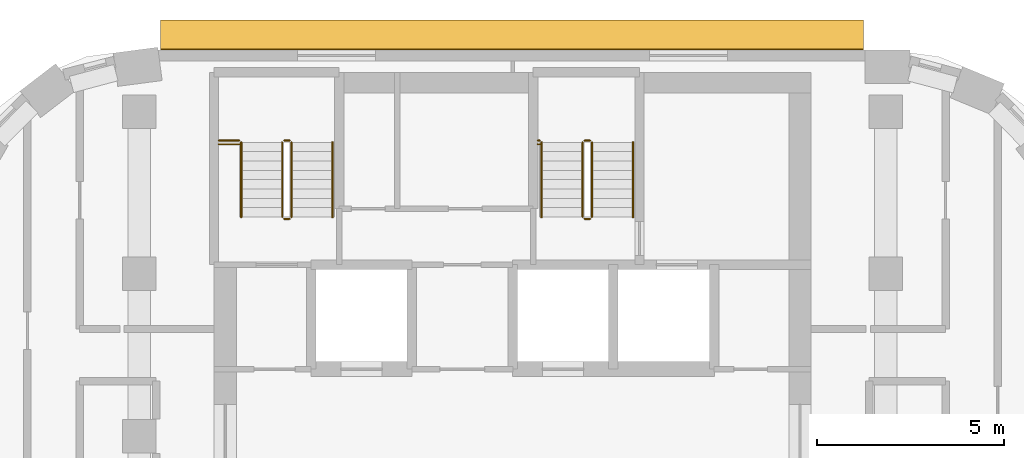
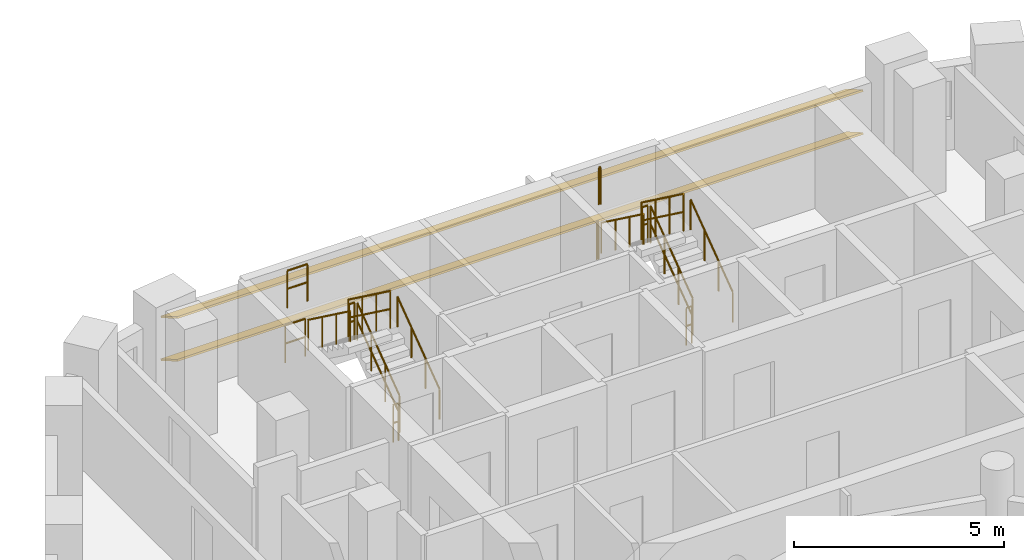
# One storey, part 15 of 15: 16 railings, 2 shading devices.
"""IFC4 building model written with IfcOpenShell, lengths in metres."""

from ifc_helpers import new_model, si_unit, direction, frame, origin, origin_2d, place, context, subcontext, project, spatial, rectangle, circle, extrude, material, material_profile, profile_set, type_object, element, save


model = new_model("IFC4")

# Units and contexts
model_context = context("Model", 3, precision=1e-05, world=origin(), true_north=direction((0.0, 1.0)))
body_context = subcontext(model_context, "Body", "Model", "MODEL_VIEW")
ifc_project = project(units=[si_unit("LENGTHUNIT", "METRE"), si_unit("AREAUNIT", "SQUARE_METRE"), si_unit("VOLUMEUNIT", "CUBIC_METRE"), si_unit("PLANEANGLEUNIT", "RADIAN"), si_unit("MASSUNIT", "GRAM", prefix="KILO")], contexts=[model_context])

# Site, building, storey
site_placement = place(None, origin())
site = spatial("IfcSite", under=ifc_project, at=site_placement, CompositionType="ELEMENT")
building_placement = place(site_placement, origin())
building = spatial("IfcBuilding", under=site, at=building_placement, Name="Nakaniwa Court", CompositionType="ELEMENT")
storey_placement = place(building_placement, frame((0.0, 0.0, 186.60009765625)))
storey = spatial("IfcBuildingStorey", under=building, at=storey_placement, Name="L48", CompositionType="ELEMENT", Elevation=186.60009765625)

# Shading devices
ifc_material_1 = material(Name="Perforated charcoal ceramic louvre blade")
ifc_material_profile = material_profile(ifc_material_1, rectangle(XDim=0.89990234375, YDim=0.050048828125, at=origin_2d()), Name="Perforated ceramic louvre blade")
ifc_profile_set = profile_set([ifc_material_profile], Name="Perforated charcoal ceramic louvre blade")
shading_device_type = type_object("IfcShadingDeviceType", Name="Perforated ceramic louvre blade", PredefinedType="JALOUSIE", material=ifc_profile_set)
for number, where, z_axis, x_axis, name in (
    (1, (89.3994140625, 103.05224609375, 0.5498046875), (-1.0, 0.0, 0.0), (0.0, -0.866025403784, 0.5), "L48 perforated ceramic louvre blade w08 1"),
    (2, (89.3994140625, 103.05224609375, 1.793212890625), (-1.0, 0.0, 0.0), (0.0, -0.866025403784, 0.5), "L48 perforated ceramic louvre blade w08 2"),
):
    element("IfcShadingDevice", number, at=place(storey_placement, frame(where, z_axis=z_axis, x_axis=x_axis)), inside=storey, type_object=shading_device_type, Name=name, PredefinedType="JALOUSIE", context=body_context, shape_type="SweptSolid", body=[
        extrude(rectangle(XDim=0.89990234375, YDim=0.050048828125, at=origin_2d()), origin(), (0.0, 0.0, 1.0), 18.8330078125),
    ])

# Railings
ifc_material_2 = material(Name="Black powder coated steel guard", Category="steel")
railing_type_1 = type_object("IfcRailingType", Name="Stair guard 1100", PredefinedType="GUARDRAIL", material=ifc_material_2)
railing_1_placement = place(storey_placement, frame((74.074951171875, 98.175048828125, 0.183349609375)))
element("IfcRailing", 3, at=railing_1_placement, inside=storey, type_object=railing_type_1, Name="L48 ST1 stair guard 1", PredefinedType="GUARDRAIL", context=body_context, shape_type="SweptSolid", body=[
    extrude(circle(Radius=0.02392578125, at=origin_2d()), frame((0.0, 0.0, 1.076171875), z_axis=(0.0, 0.806426902644, 0.591333789573), x_axis=(-1.0, 0.0, 0.0)), (0.0, 0.0, 1.0), 2.47998046875),
    extrude(circle(Radius=0.02392578125, at=origin_2d()), frame((0.0, 0.0, 0.550048828125), z_axis=(0.0, 0.806426902644, 0.591333789573), x_axis=(-1.0, 0.0, 0.0)), (0.0, 0.0, 1.0), 2.47998046875),
    extrude(circle(Radius=0.02099609375, at=origin_2d()), origin(), (0.0, 0.0, 1.0), 1.052001953125),
    extrude(circle(Radius=0.02099609375, at=origin_2d()), frame((0.0, 0.666748046875, 0.48876953125)), (0.0, 0.0, 1.0), 1.052001953125),
    extrude(circle(Radius=0.02099609375, at=origin_2d()), frame((0.0, 1.333251953125, 0.977783203125)), (0.0, 0.0, 1.0), 1.052001953125),
    extrude(circle(Radius=0.02099609375, at=origin_2d()), frame((0.0, 2.0, 1.466552734375)), (0.0, 0.0, 1.0), 1.052001953125),
])
railing_2_placement = place(storey_placement, frame((74.02490234375, 100.22509765625, 1.64990234375)))
element("IfcRailing", 4, at=railing_2_placement, inside=storey, type_object=railing_type_1, Name="L48 ST1 stair guard 2", PredefinedType="GUARDRAIL", context=body_context, shape_type="SweptSolid", body=[
    extrude(circle(Radius=0.02392578125, at=origin_2d()), frame((0.0, 0.0, 1.076171875), z_axis=(-1.0, 0.0, 0.0), x_axis=(0.0, -1.0, 0.0)), (0.0, 0.0, 1.0), 0.14990234375),
    extrude(circle(Radius=0.02392578125, at=origin_2d()), frame((0.0, 0.0, 0.550048828125), z_axis=(-1.0, 0.0, 0.0), x_axis=(0.0, -1.0, 0.0)), (0.0, 0.0, 1.0), 0.14990234375),
    extrude(circle(Radius=0.02099609375, at=origin_2d()), origin(), (0.0, 0.0, 1.0), 1.052001953125),
    extrude(circle(Radius=0.02099609375, at=origin_2d()), frame((-0.14990234375, 0.0, 0.0)), (0.0, 0.0, 1.0), 1.052001953125),
])
railing_3_placement = place(storey_placement, frame((73.824951171875, 100.175048828125, 1.833251953125)))
element("IfcRailing", 5, at=railing_3_placement, inside=storey, type_object=railing_type_1, Name="L48 ST1 stair guard 3", PredefinedType="GUARDRAIL", context=body_context, shape_type="SweptSolid", body=[
    extrude(circle(Radius=0.02392578125, at=origin_2d()), frame((0.0, 0.0, 1.076171875), z_axis=(0.0, -0.806426902644, 0.591333789573), x_axis=(1.0, 0.0, 0.0)), (0.0, 0.0, 1.0), 2.47998046875),
    extrude(circle(Radius=0.02392578125, at=origin_2d()), frame((0.0, 0.0, 0.550048828125), z_axis=(0.0, -0.806426902644, 0.591333789573), x_axis=(1.0, 0.0, 0.0)), (0.0, 0.0, 1.0), 2.47998046875),
    extrude(circle(Radius=0.02099609375, at=origin_2d()), origin(), (0.0, 0.0, 1.0), 1.052001953125),
    extrude(circle(Radius=0.02099609375, at=origin_2d()), frame((0.0, -0.666748046875, 0.48876953125)), (0.0, 0.0, 1.0), 1.052001953125),
    extrude(circle(Radius=0.02099609375, at=origin_2d()), frame((0.0, -1.333251953125, 0.977783203125)), (0.0, 0.0, 1.0), 1.052001953125),
    extrude(circle(Radius=0.02099609375, at=origin_2d()), frame((0.0, -2.0, 1.466552734375)), (0.0, 0.0, 1.0), 1.052001953125),
])
railing_4_placement = place(storey_placement, frame((74.02490234375, 98.125, 0.0)))
element("IfcRailing", 6, at=railing_4_placement, inside=storey, type_object=railing_type_1, Name="L48 ST1 stair guard 4", PredefinedType="GUARDRAIL", context=body_context, shape_type="SweptSolid", body=[
    extrude(circle(Radius=0.02392578125, at=origin_2d()), frame((0.0, 0.0, 1.076171875), z_axis=(-1.0, 0.0, 0.0), x_axis=(0.0, -1.0, 0.0)), (0.0, 0.0, 1.0), 0.14990234375),
    extrude(circle(Radius=0.02392578125, at=origin_2d()), frame((0.0, 0.0, 0.550048828125), z_axis=(-1.0, 0.0, 0.0), x_axis=(0.0, -1.0, 0.0)), (0.0, 0.0, 1.0), 0.14990234375),
    extrude(circle(Radius=0.02099609375, at=origin_2d()), origin(), (0.0, 0.0, 1.0), 1.052001953125),
    extrude(circle(Radius=0.02099609375, at=origin_2d()), frame((-0.14990234375, 0.0, 0.0)), (0.0, 0.0, 1.0), 1.052001953125),
])
for number, where, name in (
    (7, (72.125, 100.22509765625, 1.64990234375), "L48 ST1 landing side guard 1W"),
    (8, (72.125, 100.125, 3.2998046875), "L48 ST1 floor edge guard 1W"),
):
    element("IfcRailing", number, at=place(storey_placement, frame(where)), inside=storey, type_object=railing_type_1, Name=name, PredefinedType="GUARDRAIL", context=body_context, shape_type="SweptSolid", body=[
        extrude(circle(Radius=0.02392578125, at=origin_2d()), frame((0.0, 0.0, 1.076171875), z_axis=(1.0, 0.0, 0.0), x_axis=(0.0, 1.0, 0.0)), (0.0, 0.0, 1.0), 0.550048828125),
        extrude(circle(Radius=0.02392578125, at=origin_2d()), frame((0.0, 0.0, 0.550048828125), z_axis=(1.0, 0.0, 0.0), x_axis=(0.0, 1.0, 0.0)), (0.0, 0.0, 1.0), 0.550048828125),
        extrude(circle(Radius=0.02099609375, at=origin_2d()), origin(), (0.0, 0.0, 1.0), 1.052001953125),
        extrude(circle(Radius=0.02099609375, at=origin_2d()), frame((0.550048828125, 0.0, 0.0)), (0.0, 0.0, 1.0), 1.052001953125),
    ])
railing_5_placement = place(storey_placement, frame((82.125, 98.175048828125, 0.183349609375)))
element("IfcRailing", 9, at=railing_5_placement, inside=storey, type_object=railing_type_1, Name="L48 ST2 stair guard 1", PredefinedType="GUARDRAIL", context=body_context, shape_type="SweptSolid", body=[
    extrude(circle(Radius=0.02392578125, at=origin_2d()), frame((0.0, 0.0, 1.076171875), z_axis=(0.0, 0.806426902644, 0.591333789573), x_axis=(-1.0, 0.0, 0.0)), (0.0, 0.0, 1.0), 2.47998046875),
    extrude(circle(Radius=0.02392578125, at=origin_2d()), frame((0.0, 0.0, 0.550048828125), z_axis=(0.0, 0.806426902644, 0.591333789573), x_axis=(-1.0, 0.0, 0.0)), (0.0, 0.0, 1.0), 2.47998046875),
    extrude(circle(Radius=0.02099609375, at=origin_2d()), origin(), (0.0, 0.0, 1.0), 1.052001953125),
    extrude(circle(Radius=0.02099609375, at=origin_2d()), frame((0.0, 0.666748046875, 0.48876953125)), (0.0, 0.0, 1.0), 1.052001953125),
    extrude(circle(Radius=0.02099609375, at=origin_2d()), frame((0.0, 1.333251953125, 0.977783203125)), (0.0, 0.0, 1.0), 1.052001953125),
    extrude(circle(Radius=0.02099609375, at=origin_2d()), frame((0.0, 2.0, 1.466552734375)), (0.0, 0.0, 1.0), 1.052001953125),
])
railing_6_placement = place(storey_placement, frame((82.074951171875, 100.22509765625, 1.64990234375)))
element("IfcRailing", 10, at=railing_6_placement, inside=storey, type_object=railing_type_1, Name="L48 ST2 stair guard 2", PredefinedType="GUARDRAIL", context=body_context, shape_type="SweptSolid", body=[
    extrude(circle(Radius=0.02392578125, at=origin_2d()), frame((0.0, 0.0, 1.076171875), z_axis=(-1.0, 0.0, 0.0), x_axis=(0.0, -1.0, 0.0)), (0.0, 0.0, 1.0), 0.14990234375),
    extrude(circle(Radius=0.02392578125, at=origin_2d()), frame((0.0, 0.0, 0.550048828125), z_axis=(-1.0, 0.0, 0.0), x_axis=(0.0, -1.0, 0.0)), (0.0, 0.0, 1.0), 0.14990234375),
    extrude(circle(Radius=0.02099609375, at=origin_2d()), origin(), (0.0, 0.0, 1.0), 1.052001953125),
    extrude(circle(Radius=0.02099609375, at=origin_2d()), frame((-0.14990234375, 0.0, 0.0)), (0.0, 0.0, 1.0), 1.052001953125),
])
railing_7_placement = place(storey_placement, frame((81.875, 100.175048828125, 1.833251953125)))
element("IfcRailing", 11, at=railing_7_placement, inside=storey, type_object=railing_type_1, Name="L48 ST2 stair guard 3", PredefinedType="GUARDRAIL", context=body_context, shape_type="SweptSolid", body=[
    extrude(circle(Radius=0.02392578125, at=origin_2d()), frame((0.0, 0.0, 1.076171875), z_axis=(0.0, -0.806426902644, 0.591333789573), x_axis=(1.0, 0.0, 0.0)), (0.0, 0.0, 1.0), 2.47998046875),
    extrude(circle(Radius=0.02392578125, at=origin_2d()), frame((0.0, 0.0, 0.550048828125), z_axis=(0.0, -0.806426902644, 0.591333789573), x_axis=(1.0, 0.0, 0.0)), (0.0, 0.0, 1.0), 2.47998046875),
    extrude(circle(Radius=0.02099609375, at=origin_2d()), origin(), (0.0, 0.0, 1.0), 1.052001953125),
    extrude(circle(Radius=0.02099609375, at=origin_2d()), frame((0.0, -0.666748046875, 0.48876953125)), (0.0, 0.0, 1.0), 1.052001953125),
    extrude(circle(Radius=0.02099609375, at=origin_2d()), frame((0.0, -1.333251953125, 0.977783203125)), (0.0, 0.0, 1.0), 1.052001953125),
    extrude(circle(Radius=0.02099609375, at=origin_2d()), frame((0.0, -2.0, 1.466552734375)), (0.0, 0.0, 1.0), 1.052001953125),
])
railing_8_placement = place(storey_placement, frame((82.074951171875, 98.125, 0.0)))
element("IfcRailing", 12, at=railing_8_placement, inside=storey, type_object=railing_type_1, Name="L48 ST2 stair guard 4", PredefinedType="GUARDRAIL", context=body_context, shape_type="SweptSolid", body=[
    extrude(circle(Radius=0.02392578125, at=origin_2d()), frame((0.0, 0.0, 1.076171875), z_axis=(-1.0, 0.0, 0.0), x_axis=(0.0, -1.0, 0.0)), (0.0, 0.0, 1.0), 0.14990234375),
    extrude(circle(Radius=0.02392578125, at=origin_2d()), frame((0.0, 0.0, 0.550048828125), z_axis=(-1.0, 0.0, 0.0), x_axis=(0.0, -1.0, 0.0)), (0.0, 0.0, 1.0), 0.14990234375),
    extrude(circle(Radius=0.02099609375, at=origin_2d()), origin(), (0.0, 0.0, 1.0), 1.052001953125),
    extrude(circle(Radius=0.02099609375, at=origin_2d()), frame((-0.14990234375, 0.0, 0.0)), (0.0, 0.0, 1.0), 1.052001953125),
])
for number, where, name in (
    (13, (80.675048828125, 100.22509765625, 1.64990234375), "L48 ST2 landing side guard 1W"),
    (14, (80.675048828125, 100.125, 3.2998046875), "L48 ST2 floor edge guard 1W"),
):
    element("IfcRailing", number, at=place(storey_placement, frame(where)), inside=storey, type_object=railing_type_1, Name=name, PredefinedType="GUARDRAIL", context=body_context, shape_type="SweptSolid", body=[
        extrude(circle(Radius=0.02392578125, at=origin_2d()), frame((0.0, 0.0, 1.076171875), z_axis=(1.0, 0.0, 0.0), x_axis=(0.0, 1.0, 0.0)), (0.0, 0.0, 1.0), 0.050048828125),
        extrude(circle(Radius=0.02392578125, at=origin_2d()), frame((0.0, 0.0, 0.550048828125), z_axis=(1.0, 0.0, 0.0), x_axis=(0.0, 1.0, 0.0)), (0.0, 0.0, 1.0), 0.050048828125),
        extrude(circle(Radius=0.02099609375, at=origin_2d()), origin(), (0.0, 0.0, 1.0), 1.052001953125),
        extrude(circle(Radius=0.02099609375, at=origin_2d()), frame((0.050048828125, 0.0, 0.0)), (0.0, 0.0, 1.0), 1.052001953125),
    ])
ifc_material_3 = material(Name="Black powder coated steel handrail", Category="steel")
railing_type_2 = type_object("IfcRailingType", Name="Stair handrail 900", PredefinedType="HANDRAIL", material=ifc_material_3)
railing_9_placement = place(storey_placement, frame((75.175048828125, 98.175048828125, 0.183349609375)))
element("IfcRailing", 15, at=railing_9_placement, inside=storey, type_object=railing_type_2, Name="L48 ST1 stair handrail 1", PredefinedType="HANDRAIL", context=body_context, shape_type="SweptSolid", body=[
    extrude(circle(Radius=0.02392578125, at=origin_2d()), frame((0.0, 0.0, 0.8759765625), z_axis=(0.0, 0.806426902644, 0.591333789573), x_axis=(-1.0, 0.0, 0.0)), (0.0, 0.0, 1.0), 2.47998046875),
    extrude(circle(Radius=0.02099609375, at=origin_2d()), origin(), (0.0, 0.0, 1.0), 0.851806640625),
    extrude(circle(Radius=0.02099609375, at=origin_2d()), frame((0.0, 0.666748046875, 0.48876953125)), (0.0, 0.0, 1.0), 0.851806640625),
    extrude(circle(Radius=0.02099609375, at=origin_2d()), frame((0.0, 1.333251953125, 0.977783203125)), (0.0, 0.0, 1.0), 0.851806640625),
    extrude(circle(Radius=0.02099609375, at=origin_2d()), frame((0.0, 2.0, 1.466552734375)), (0.0, 0.0, 1.0), 0.851806640625),
])
railing_10_placement = place(storey_placement, frame((72.72509765625, 100.175048828125, 1.833251953125)))
element("IfcRailing", 16, at=railing_10_placement, inside=storey, type_object=railing_type_2, Name="L48 ST1 stair handrail 2", PredefinedType="HANDRAIL", context=body_context, shape_type="SweptSolid", body=[
    extrude(circle(Radius=0.02392578125, at=origin_2d()), frame((0.0, 0.0, 0.8759765625), z_axis=(0.0, -0.806426902644, 0.591333789573), x_axis=(1.0, 0.0, 0.0)), (0.0, 0.0, 1.0), 2.47998046875),
    extrude(circle(Radius=0.02099609375, at=origin_2d()), origin(), (0.0, 0.0, 1.0), 0.851806640625),
    extrude(circle(Radius=0.02099609375, at=origin_2d()), frame((0.0, -0.666748046875, 0.48876953125)), (0.0, 0.0, 1.0), 0.851806640625),
    extrude(circle(Radius=0.02099609375, at=origin_2d()), frame((0.0, -1.333251953125, 0.977783203125)), (0.0, 0.0, 1.0), 0.851806640625),
    extrude(circle(Radius=0.02099609375, at=origin_2d()), frame((0.0, -2.0, 1.466552734375)), (0.0, 0.0, 1.0), 0.851806640625),
])
railing_11_placement = place(storey_placement, frame((83.22509765625, 98.175048828125, 0.183349609375)))
element("IfcRailing", 17, at=railing_11_placement, inside=storey, type_object=railing_type_2, Name="L48 ST2 stair handrail 1", PredefinedType="HANDRAIL", context=body_context, shape_type="SweptSolid", body=[
    extrude(circle(Radius=0.02392578125, at=origin_2d()), frame((0.0, 0.0, 0.8759765625), z_axis=(0.0, 0.806426902644, 0.591333789573), x_axis=(-1.0, 0.0, 0.0)), (0.0, 0.0, 1.0), 2.47998046875),
    extrude(circle(Radius=0.02099609375, at=origin_2d()), origin(), (0.0, 0.0, 1.0), 0.851806640625),
    extrude(circle(Radius=0.02099609375, at=origin_2d()), frame((0.0, 0.666748046875, 0.48876953125)), (0.0, 0.0, 1.0), 0.851806640625),
    extrude(circle(Radius=0.02099609375, at=origin_2d()), frame((0.0, 1.333251953125, 0.977783203125)), (0.0, 0.0, 1.0), 0.851806640625),
    extrude(circle(Radius=0.02099609375, at=origin_2d()), frame((0.0, 2.0, 1.466552734375)), (0.0, 0.0, 1.0), 0.851806640625),
])
railing_12_placement = place(storey_placement, frame((80.77490234375, 100.175048828125, 1.833251953125)))
element("IfcRailing", 18, at=railing_12_placement, inside=storey, type_object=railing_type_2, Name="L48 ST2 stair handrail 2", PredefinedType="HANDRAIL", context=body_context, shape_type="SweptSolid", body=[
    extrude(circle(Radius=0.02392578125, at=origin_2d()), frame((0.0, 0.0, 0.8759765625), z_axis=(0.0, -0.806426902644, 0.591333789573), x_axis=(1.0, 0.0, 0.0)), (0.0, 0.0, 1.0), 2.47998046875),
    extrude(circle(Radius=0.02099609375, at=origin_2d()), origin(), (0.0, 0.0, 1.0), 0.851806640625),
    extrude(circle(Radius=0.02099609375, at=origin_2d()), frame((0.0, -0.666748046875, 0.48876953125)), (0.0, 0.0, 1.0), 0.851806640625),
    extrude(circle(Radius=0.02099609375, at=origin_2d()), frame((0.0, -1.333251953125, 0.977783203125)), (0.0, 0.0, 1.0), 0.851806640625),
    extrude(circle(Radius=0.02099609375, at=origin_2d()), frame((0.0, -2.0, 1.466552734375)), (0.0, 0.0, 1.0), 0.851806640625),
])

save(model, "model.ifc")
